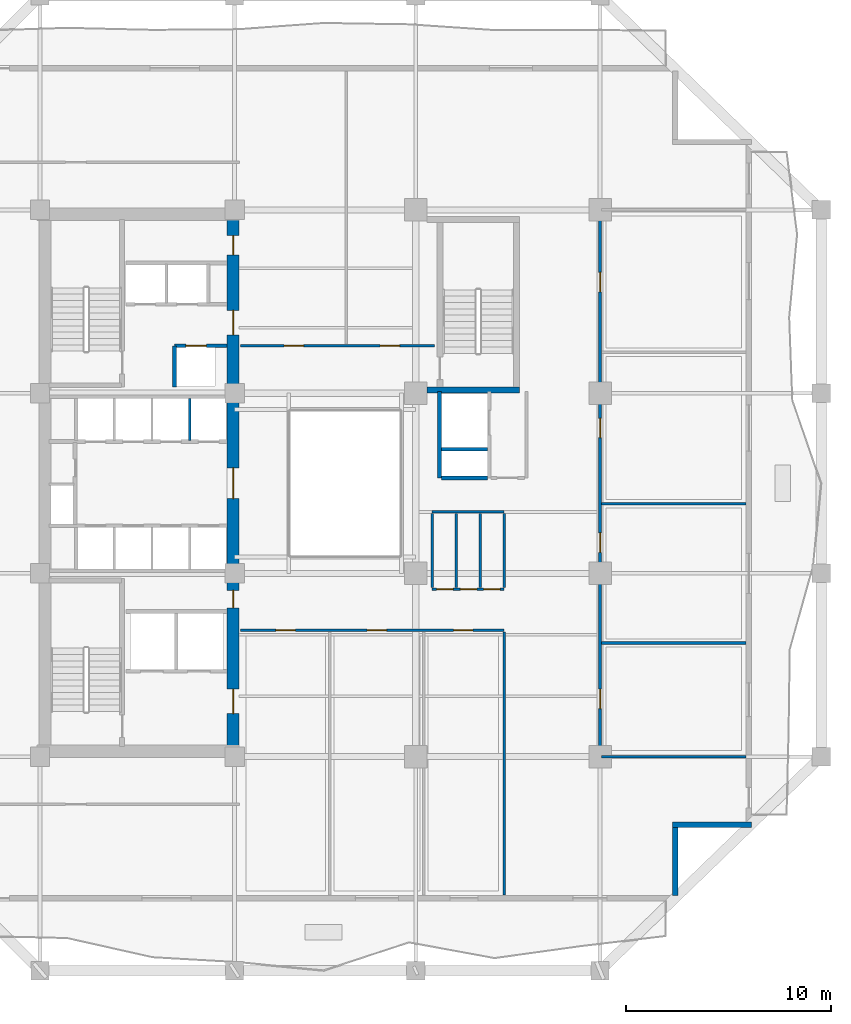
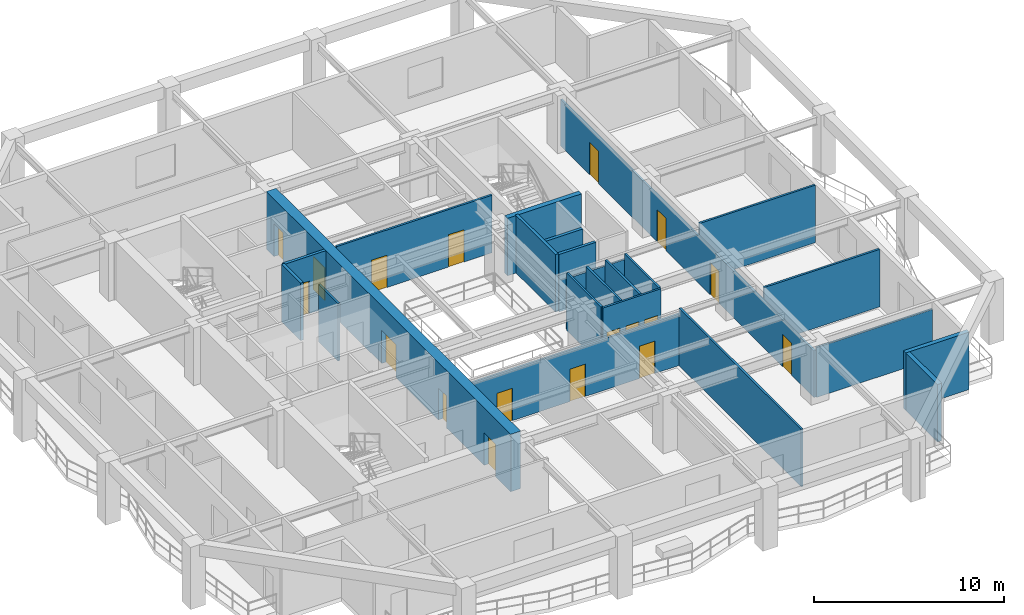
# One storey, part 4 of 11: 23 walls, 18 doors, 18 openings.
"""IFC4 building model written with IfcOpenShell, lengths in metres."""

from ifc_helpers import new_model, si_unit, direction, frame, frame_2d, origin, place, context, subcontext, project, spatial, rectangle, extrude, material, layer, layer_set, type_object, element, fill, save


model = new_model("IFC4")

# Units and contexts
model_context = context("Model", 3, precision=1e-05, world=origin(), true_north=direction((0.0, 1.0)))
body_context = subcontext(model_context, "Body", "Model", "MODEL_VIEW")
ifc_project = project(units=[si_unit("LENGTHUNIT", "METRE"), si_unit("AREAUNIT", "SQUARE_METRE"), si_unit("VOLUMEUNIT", "CUBIC_METRE"), si_unit("PLANEANGLEUNIT", "RADIAN"), si_unit("MASSUNIT", "GRAM", prefix="KILO")], contexts=[model_context])

# Site, building, storey
site_placement = place(None, origin())
site = spatial("IfcSite", under=ifc_project, at=site_placement, CompositionType="ELEMENT")
building_placement = place(site_placement, origin())
building = spatial("IfcBuilding", under=site, at=building_placement, Name="Kundavana Baori Tower", CompositionType="ELEMENT")
storey_placement = place(building_placement, frame((0.0, 0.0, 90.0)))
storey = spatial("IfcBuildingStorey", under=building, at=storey_placement, Name="L21", CompositionType="ELEMENT", Elevation=90.0)

# Wall, openings, doors
ifc_material_1 = material(Name="Concrete C60/75", Category="concrete")
ifc_layer_1 = layer(ifc_material_1, 0.60009765625, Name="WL-CORE-600")
ifc_layer_set_1 = layer_set([ifc_layer_1], Name="Concrete C60/75")
wall_type_1 = type_object("IfcWallType", Name="WL-CORE-600", PredefinedType="SHEAR", material=ifc_layer_set_1)
wall_1_placement = place(storey_placement, frame((24.8798828125, 15.739990234375, 0.0), z_axis=(0.0, 0.0, 1.0), x_axis=(0.0, 1.0, 0.0)))
wall_1 = element("IfcWall", 1, at=wall_1_placement, inside=storey, type_object=wall_type_1, Name="L21 Offset Core East Shear Wall", PredefinedType="SHEAR", context=body_context, shape_type="SweptSolid", body=[
    extrude(rectangle(XDim=25.760009765625, YDim=0.60009765625, at=frame_2d((12.8798828125, 0.0))), origin(), (0.0, 0.0, 1.0), 3.699951171875),
])
opening_1_placement = place(wall_1_placement, frame((1.610107421875, 0.0, 0.0)))
opening_1 = element("IfcOpeningElement", 2, at=opening_1_placement, cuts=wall_1, Name="Opening FD-120", PredefinedType="OPENING", context=body_context, shape_type="SweptSolid", body=[
    extrude(rectangle(XDim=1.199951171875, YDim=2.10009765625, at=frame_2d((0.60009765625, 1.050048828125))), frame((0.0, 0.31005859375, 0.0), z_axis=(0.0, -1.0, 0.0), x_axis=(1.0, 0.0, 0.0)), (0.0, 0.0, 1.0), 0.6201171875),
])
opening_2_placement = place(wall_1_placement, frame((6.780029296875, 0.0, 0.0)))
opening_2 = element("IfcOpeningElement", 3, at=opening_2_placement, cuts=wall_1, Name="Opening FD-085", PredefinedType="OPENING", context=body_context, shape_type="SweptSolid", body=[
    extrude(rectangle(XDim=0.85009765625, YDim=2.06005859375, at=frame_2d((0.425048828125, 1.030029296875))), frame((0.0, 0.31005859375, 0.0), z_axis=(0.0, -1.0, 0.0), x_axis=(1.0, 0.0, 0.0)), (0.0, 0.0, 1.0), 0.6201171875),
])
opening_3_placement = place(wall_1_placement, frame((12.110107421875, 0.0, 0.0)))
opening_3 = element("IfcOpeningElement", 4, at=opening_3_placement, cuts=wall_1, Name="Opening FD-150", PredefinedType="OPENING", context=body_context, shape_type="SweptSolid", body=[
    extrude(rectangle(XDim=1.5, YDim=2.1201171875, at=frame_2d((0.75, 1.06005859375))), frame((0.0, 0.31005859375, 0.0), z_axis=(0.0, -1.0, 0.0), x_axis=(1.0, 0.0, 0.0)), (0.0, 0.0, 1.0), 0.6201171875),
])
opening_4_placement = place(wall_1_placement, frame((20.110107421875, 0.0, 0.0)))
opening_4 = element("IfcOpeningElement", 5, at=opening_4_placement, cuts=wall_1, Name="Opening FD-122", PredefinedType="OPENING", context=body_context, shape_type="SweptSolid", body=[
    extrude(rectangle(XDim=1.199951171875, YDim=2.1201171875, at=frame_2d((0.60009765625, 1.06005859375))), frame((0.0, 0.31005859375, 0.0), z_axis=(0.0, -1.0, 0.0), x_axis=(1.0, 0.0, 0.0)), (0.0, 0.0, 1.0), 0.6201171875),
])
opening_5_placement = place(wall_1_placement, frame((24.010009765625, 0.0, 0.0)))
opening_5 = element("IfcOpeningElement", 6, at=opening_5_placement, cuts=wall_1, Name="Opening FD-095", PredefinedType="OPENING", context=body_context, shape_type="SweptSolid", body=[
    extrude(rectangle(XDim=0.949951171875, YDim=2.10009765625, at=frame_2d((0.47509765625, 1.050048828125))), frame((0.0, 0.31005859375, 0.0), z_axis=(0.0, -1.0, 0.0), x_axis=(1.0, 0.0, 0.0)), (0.0, 0.0, 1.0), 0.6201171875),
])
ifc_material_2 = material(Name="Galvanised Steel Fire-Rated Door Leaf", Category="steel")
door_type_1 = type_object("IfcDoorType", Name="DR-FD120-1200", OperationType="NOTDEFINED", PredefinedType="DOOR", material=ifc_material_2)
door_1_placement = place(opening_1_placement, frame((1.199951171875, 0.0, 0.0), z_axis=(0.0, 0.0, 1.0), x_axis=(-1.0, 0.0, 0.0)))
door_1 = element("IfcDoor", 7, at=door_1_placement, inside=storey, type_object=door_type_1, Name="DR-L21-FFLOB-E", OperationType="SINGLE_SWING_RIGHT", OverallHeight=2.10009765625, OverallWidth=1.199951171875, PredefinedType="DOOR", context=body_context, shape_type="SweptSolid", body=[
    extrude(rectangle(XDim=1.199951171875, YDim=2.10009765625, at=frame_2d((0.60009765625, 1.050048828125))), frame((0.0, 0.02490234375, 0.0), z_axis=(0.0, -1.0, 0.0), x_axis=(1.0, 0.0, 0.0)), (0.0, 0.0, 1.0), 0.050048828125),
])
fill(opening_1, door_1)
ifc_material_3 = material(Name="Galvanised Steel Fire-Rated Door Leaf", Category="steel")
door_type_2 = type_object("IfcDoorType", Name="DR-FD60-1200", OperationType="NOTDEFINED", PredefinedType="DOOR", material=ifc_material_3)
door_2_placement = place(opening_4_placement, frame((1.199951171875, 0.0, 0.0), z_axis=(0.0, 0.0, 1.0), x_axis=(-1.0, 0.0, 0.0)))
door_2 = element("IfcDoor", 8, at=door_2_placement, inside=storey, type_object=door_type_2, Name="DR-L21-HRLOB-E", OperationType="SINGLE_SWING_RIGHT", OverallHeight=2.1201171875, OverallWidth=1.199951171875, PredefinedType="DOOR", context=body_context, shape_type="SweptSolid", body=[
    extrude(rectangle(XDim=1.199951171875, YDim=2.1201171875, at=frame_2d((0.60009765625, 1.06005859375))), frame((0.0, 0.02490234375, 0.0), z_axis=(0.0, -1.0, 0.0), x_axis=(1.0, 0.0, 0.0)), (0.0, 0.0, 1.0), 0.050048828125),
])
fill(opening_4, door_2)
ifc_material_4 = material(Name="Galvanised Steel Fire-Rated Door Leaf", Category="steel")
door_type_3 = type_object("IfcDoorType", Name="DR-FD60-1500", OperationType="NOTDEFINED", PredefinedType="DOOR", material=ifc_material_4)
door_3_placement = place(opening_3_placement, frame((1.5, 0.0, 0.0), z_axis=(0.0, 0.0, 1.0), x_axis=(-1.0, 0.0, 0.0)))
door_3 = element("IfcDoor", 9, at=door_3_placement, inside=storey, type_object=door_type_3, Name="DR-L21-LIFTHALL-E", OperationType="SINGLE_SWING_LEFT", OverallHeight=2.1201171875, OverallWidth=1.5, PredefinedType="DOOR", context=body_context, shape_type="SweptSolid", body=[
    extrude(rectangle(XDim=1.5, YDim=2.1201171875, at=frame_2d((0.75, 1.06005859375))), frame((0.0, 0.02490234375, 0.0), z_axis=(0.0, -1.0, 0.0), x_axis=(1.0, 0.0, 0.0)), (0.0, 0.0, 1.0), 0.050048828125),
])
fill(opening_3, door_3)
ifc_material_5 = material(Name="Galvanised Steel Fire-Rated Door Leaf", Category="steel")
door_type_4 = type_object("IfcDoorType", Name="DR-FD60-850", OperationType="NOTDEFINED", PredefinedType="DOOR", material=ifc_material_5)
door_4_placement = place(opening_2_placement, frame((0.85009765625, 0.0, 0.0), z_axis=(0.0, 0.0, 1.0), x_axis=(-1.0, 0.0, 0.0)))
door_4 = element("IfcDoor", 10, at=door_4_placement, inside=storey, type_object=door_type_4, Name="DR-L21-CSMK1", OperationType="SINGLE_SWING_LEFT", OverallHeight=2.06005859375, OverallWidth=0.85009765625, PredefinedType="DOOR", context=body_context, shape_type="SweptSolid", body=[
    extrude(rectangle(XDim=0.85009765625, YDim=2.06005859375, at=frame_2d((0.425048828125, 1.030029296875))), frame((0.0, 0.02490234375, 0.0), z_axis=(0.0, -1.0, 0.0), x_axis=(1.0, 0.0, 0.0)), (0.0, 0.0, 1.0), 0.050048828125),
])
fill(opening_2, door_4)
ifc_material_6 = material(Name="Engineered Teak Fire-Rated Timber Door Leaf", Category="wood")
door_type_5 = type_object("IfcDoorType", Name="DR-FD60-950", OperationType="NOTDEFINED", PredefinedType="DOOR", material=ifc_material_6)
door_5_placement = place(opening_5_placement, frame((0.949951171875, 0.0, 0.0), z_axis=(0.0, 0.0, 1.0), x_axis=(-1.0, 0.0, 0.0)))
door_5 = element("IfcDoor", 11, at=door_5_placement, inside=storey, type_object=door_type_5, Name="DR-L21-CSRV1", OperationType="SINGLE_SWING_LEFT", OverallHeight=2.10009765625, OverallWidth=0.949951171875, PredefinedType="DOOR", context=body_context, shape_type="SweptSolid", body=[
    extrude(rectangle(XDim=0.949951171875, YDim=2.10009765625, at=frame_2d((0.47509765625, 1.050048828125))), frame((0.0, 0.02490234375, 0.0), z_axis=(0.0, -1.0, 0.0), x_axis=(1.0, 0.0, 0.0)), (0.0, 0.0, 1.0), 0.050048828125),
])
fill(opening_5, door_5)

# Walls
ifc_material_7 = material(Name="Kiln-Fired Terracotta Brick-Slip Masonry on Concrete C40/50", Category="masonry")
ifc_layer_2 = layer(ifc_material_7, 0.260009765625, Name="WL-EXT-BRK-260")
ifc_layer_set_2 = layer_set([ifc_layer_2], Name="Kiln-Fired Terracotta Brick-Slip Masonry on Concrete C40/50")
wall_type_2 = type_object("IfcWallType", Name="WL-EXT-BRK-260", PredefinedType="SOLIDWALL", material=ifc_layer_set_2)
wall_2_placement = place(storey_placement, frame((46.469970703125, 8.4599609375, 0.0), z_axis=(0.0, 0.0, 1.0), x_axis=(0.0, 1.0, 0.0)))
element("IfcWall", 12, at=wall_2_placement, inside=storey, type_object=wall_type_2, Name="L21 Exterior Insulated Facade Wall 02", PredefinedType="SOLIDWALL", context=body_context, shape_type="SweptSolid", body=[
    extrude(rectangle(XDim=3.340087890625, YDim=0.260009765625, at=frame_2d((1.669921875, 0.0))), origin(), (0.0, 0.0, 1.0), 3.699951171875),
])
wall_3_placement = place(storey_placement, frame((46.340087890625, 11.929931640625, 0.0), z_axis=(0.0, 0.0, 1.0), x_axis=(1.0, 0.0, 0.0)))
element("IfcWall", 13, at=wall_3_placement, inside=storey, type_object=wall_type_2, Name="L21 Exterior Insulated Facade Wall 03", PredefinedType="SOLIDWALL", context=body_context, shape_type="SweptSolid", body=[
    extrude(rectangle(XDim=3.85986328125, YDim=0.260009765625, at=frame_2d((1.929931640625, 0.0))), origin(), (0.0, 0.0, 1.0), 3.699951171875),
])
ifc_material_8 = material(Name="Acoustic Gypsum Plasterboard on Galvanised Steel Studs", Category="steel")
ifc_layer_3 = layer(ifc_material_8, 0.1201171875, Name="WL-PART-120")
ifc_layer_set_3 = layer_set([ifc_layer_3], Name="Acoustic Gypsum Plasterboard on Galvanised Steel Studs")
wall_type_3 = type_object("IfcWallType", Name="WL-PART-120", PredefinedType="PARTITIONING", material=ifc_layer_set_3)
wall_4_placement = place(storey_placement, frame((22.760009765625, 30.699951171875, 0.0), z_axis=(0.0, 0.0, 1.0), x_axis=(0.0, 1.0, 0.0)))
element("IfcWall", 14, at=wall_4_placement, inside=storey, type_object=wall_type_3, Name="WL-L21-LPMID-D3", PredefinedType="PARTITIONING", context=body_context, shape_type="SweptSolid", body=[
    extrude(rectangle(XDim=2.050048828125, YDim=0.1201171875, at=frame_2d((1.02490234375, 0.0))), origin(), (0.0, 0.0, 1.0), 3.699951171875),
])

# Wall, opening, door
ifc_material_9 = material(Name="Autoclaved Aerated Concrete Blockwork Masonry", Category="masonry")
ifc_layer_4 = layer(ifc_material_9, 0.179931640625, Name="WL-SHAFT-180")
ifc_layer_set_4 = layer_set([ifc_layer_4], Name="Autoclaved Aerated Concrete Blockwork Masonry")
wall_type_4 = type_object("IfcWallType", Name="WL-SHAFT-180", PredefinedType="SOLIDWALL", material=ifc_layer_set_4)
wall_5_placement = place(storey_placement, frame((22.02001953125, 35.31005859375, 0.0), z_axis=(0.0, 0.0, 1.0), x_axis=(1.0, 0.0, 0.0)))
wall_5 = element("IfcWall", 15, at=wall_5_placement, inside=storey, type_object=wall_type_4, Name="WL-L21-LP11-N", PredefinedType="SOLIDWALL", context=body_context, shape_type="SweptSolid", body=[
    extrude(rectangle(XDim=2.56005859375, YDim=0.179931640625, at=frame_2d((1.280029296875, 0.0))), origin(), (0.0, 0.0, 1.0), 3.699951171875),
])
opening_6_placement = place(wall_5_placement, frame((0.550048828125, 0.0, 0.0)))
opening_6 = element("IfcOpeningElement", 16, at=opening_6_placement, cuts=wall_5, Name="Opening LD-100", PredefinedType="OPENING", context=body_context, shape_type="SweptSolid", body=[
    extrude(rectangle(XDim=1.0, YDim=2.10009765625, at=frame_2d((0.5, 1.050048828125))), frame((0.0, 0.10009765625, 0.0), z_axis=(0.0, -1.0, 0.0), x_axis=(1.0, 0.0, 0.0)), (0.0, 0.0, 1.0), 0.199951171875),
])
ifc_material_10 = material(Name="Galvanised Steel Fire-Rated Door Leaf", Category="steel")
door_type_6 = type_object("IfcDoorType", Name="DR-SLIDE-LD1000", OperationType="NOTDEFINED", PredefinedType="DOOR", material=ifc_material_10)
door_6_placement = place(opening_6_placement, origin())
door_6 = element("IfcDoor", 17, at=door_6_placement, inside=storey, type_object=door_type_6, Name="DR-L21-LD-LP11", OperationType="DOUBLE_DOOR_SLIDING", OverallHeight=2.10009765625, OverallWidth=1.0, PredefinedType="DOOR", context=body_context, shape_type="SweptSolid", body=[
    extrude(rectangle(XDim=1.0, YDim=2.10009765625, at=frame_2d((0.5, 1.050048828125))), frame((0.0, 0.02490234375, 0.0), z_axis=(0.0, -1.0, 0.0), x_axis=(1.0, 0.0, 0.0)), (0.0, 0.0, 1.0), 0.050048828125),
])
fill(opening_6, door_6)

# Walls
wall_6_placement = place(storey_placement, frame((22.02001953125, 33.300048828125, 0.0), z_axis=(0.0, 0.0, 1.0), x_axis=(0.0, 1.0, 0.0)))
element("IfcWall", 18, at=wall_6_placement, inside=storey, type_object=wall_type_4, Name="WL-L21-LP11-W", PredefinedType="SOLIDWALL", context=body_context, shape_type="SweptSolid", body=[
    extrude(rectangle(XDim=2.010009765625, YDim=0.179931640625, at=frame_2d((1.0048828125, 0.0))), origin(), (0.0, 0.0, 1.0), 3.699951171875),
])
wall_7_placement = place(storey_placement, frame((34.9599609375, 28.860107421875, 0.0), z_axis=(0.0, 0.0, 1.0), x_axis=(0.0, 1.0, 0.0)))
element("IfcWall", 19, at=wall_7_placement, inside=storey, type_object=wall_type_4, Name="WL-L21-SVL-W", PredefinedType="SOLIDWALL", context=body_context, shape_type="SweptSolid", body=[
    extrude(rectangle(XDim=4.219970703125, YDim=0.179931640625, at=frame_2d((2.10986328125, 0.0))), origin(), (0.0, 0.0, 1.0), 3.699951171875),
])
for number, where, z_axis, x_axis, name in (
    (20, (35.050048828125, 28.860107421875, 0.0), (0.0, 0.0, 1.0), (1.0, 0.0, 0.0), "WL-L21-SVL-S"),
    (21, (35.050048828125, 30.27001953125, 0.0), (0.0, 0.0, 1.0), (1.0, 0.0, 0.0), "WL-L21-SVL-M"),
):
    element("IfcWall", number, at=place(storey_placement, frame(where, z_axis=z_axis, x_axis=x_axis)), inside=storey, type_object=wall_type_4, Name=name, PredefinedType="SOLIDWALL", context=body_context, shape_type="SweptSolid", body=[
        extrude(rectangle(XDim=2.25, YDim=0.179931640625, at=frame_2d((1.125, 0.0))), origin(), (0.0, 0.0, 1.0), 3.699951171875),
    ])
ifc_material_11 = material(Name="Concrete C50/60", Category="concrete")
ifc_layer_5 = layer(ifc_material_11, 0.300048828125, Name="WL-ST3-300")
ifc_layer_set_5 = layer_set([ifc_layer_5], Name="Concrete C50/60")
wall_type_5 = type_object("IfcWallType", Name="WL-ST3-300", PredefinedType="SHEAR", material=ifc_layer_set_5)
wall_8_placement = place(storey_placement, frame((34.35009765625, 33.159912109375, 0.0), z_axis=(0.0, 0.0, 1.0), x_axis=(1.0, 0.0, 0.0)))
element("IfcWall", 22, at=wall_8_placement, inside=storey, type_object=wall_type_5, Name="L21 Stair ST3 South Shear Wall", PredefinedType="SHEAR", context=body_context, shape_type="SweptSolid", body=[
    extrude(rectangle(XDim=4.52001953125, YDim=0.300048828125, at=frame_2d((2.260009765625, 0.0))), origin(), (0.0, 0.0, 1.0), 3.699951171875),
])

# Wall, openings, doors
ifc_material_12 = material(Name="Autoclaved Aerated Concrete Blockwork Masonry", Category="masonry")
ifc_layer_6 = layer(ifc_material_12, 0.125, Name="WL-WET-120")
ifc_layer_set_6 = layer_set([ifc_layer_6], Name="Autoclaved Aerated Concrete Blockwork Masonry")
wall_type_6 = type_object("IfcWallType", Name="WL-WET-120", PredefinedType="PLUMBINGWALL", material=ifc_layer_set_6)
wall_9_placement = place(storey_placement, frame((25.25, 21.419921875, 0.0), z_axis=(0.0, 0.0, 1.0), x_axis=(1.0, 0.0, 0.0)))
wall_9 = element("IfcWall", 23, at=wall_9_placement, inside=storey, type_object=wall_type_6, Name="WL-L21-OFS", PredefinedType="PLUMBINGWALL", context=body_context, shape_type="SweptSolid", body=[
    extrude(rectangle(XDim=12.8701171875, YDim=0.125, at=frame_2d((6.43505859375, 0.0))), origin(), (0.0, 0.0, 1.0), 3.300048828125),
])
opening_7_placement = place(wall_9_placement, frame((1.72509765625, 0.0, 0.0)))
opening_7 = element("IfcOpeningElement", 24, at=opening_7_placement, cuts=wall_9, Name="Opening ID-095", PredefinedType="OPENING", context=body_context, shape_type="SweptSolid", body=[
    extrude(rectangle(XDim=0.949951171875, YDim=2.080078125, at=frame_2d((0.47509765625, 1.0400390625))), frame((0.0, 0.072509765625, 0.0), z_axis=(0.0, -1.0, 0.0), x_axis=(1.0, 0.0, 0.0)), (0.0, 0.0, 1.0), 0.14501953125),
])
opening_8_placement = place(wall_9_placement, frame((6.175048828125, 0.0, 0.0)))
opening_8 = element("IfcOpeningElement", 25, at=opening_8_placement, cuts=wall_9, Name="Opening ID-095", PredefinedType="OPENING", context=body_context, shape_type="SweptSolid", body=[
    extrude(rectangle(XDim=0.949951171875, YDim=2.080078125, at=frame_2d((0.47509765625, 1.0400390625))), frame((0.0, 0.072509765625, 0.0), z_axis=(0.0, -1.0, 0.0), x_axis=(1.0, 0.0, 0.0)), (0.0, 0.0, 1.0), 0.14501953125),
])
opening_9_placement = place(wall_9_placement, frame((10.39501953125, 0.0, 0.0)))
opening_9 = element("IfcOpeningElement", 26, at=opening_9_placement, cuts=wall_9, Name="Opening ID-095", PredefinedType="OPENING", context=body_context, shape_type="SweptSolid", body=[
    extrude(rectangle(XDim=0.949951171875, YDim=2.080078125, at=frame_2d((0.47509765625, 1.0400390625))), frame((0.0, 0.072509765625, 0.0), z_axis=(0.0, -1.0, 0.0), x_axis=(1.0, 0.0, 0.0)), (0.0, 0.0, 1.0), 0.14501953125),
])
ifc_material_13 = material(Name="Engineered Teak Solid-Core Timber Veneer", Category="wood")
door_type_7 = type_object("IfcDoorType", Name="DR-INT-950", OperationType="NOTDEFINED", PredefinedType="DOOR", material=ifc_material_13)
door_7_placement = place(opening_7_placement, frame((0.949951171875, 0.0, 0.0), z_axis=(0.0, 0.0, 1.0), x_axis=(-1.0, 0.0, 0.0)))
door_7 = element("IfcDoor", 27, at=door_7_placement, inside=storey, type_object=door_type_7, Name="DR-L21-OFS1", OperationType="SINGLE_SWING_LEFT", OverallHeight=2.080078125, OverallWidth=0.949951171875, PredefinedType="DOOR", context=body_context, shape_type="SweptSolid", body=[
    extrude(rectangle(XDim=0.949951171875, YDim=2.080078125, at=frame_2d((0.47509765625, 1.0400390625))), frame((0.0, 0.02490234375, 0.0), z_axis=(0.0, -1.0, 0.0), x_axis=(1.0, 0.0, 0.0)), (0.0, 0.0, 1.0), 0.050048828125),
])
fill(opening_7, door_7)
door_8_placement = place(opening_8_placement, frame((0.949951171875, 0.0, 0.0), z_axis=(0.0, 0.0, 1.0), x_axis=(-1.0, 0.0, 0.0)))
door_8 = element("IfcDoor", 28, at=door_8_placement, inside=storey, type_object=door_type_7, Name="DR-L21-OFS2", OperationType="SINGLE_SWING_RIGHT", OverallHeight=2.080078125, OverallWidth=0.949951171875, PredefinedType="DOOR", context=body_context, shape_type="SweptSolid", body=[
    extrude(rectangle(XDim=0.949951171875, YDim=2.080078125, at=frame_2d((0.47509765625, 1.0400390625))), frame((0.0, 0.02490234375, 0.0), z_axis=(0.0, -1.0, 0.0), x_axis=(1.0, 0.0, 0.0)), (0.0, 0.0, 1.0), 0.050048828125),
])
fill(opening_8, door_8)
door_9_placement = place(opening_9_placement, frame((0.949951171875, 0.0, 0.0), z_axis=(0.0, 0.0, 1.0), x_axis=(-1.0, 0.0, 0.0)))
door_9 = element("IfcDoor", 29, at=door_9_placement, inside=storey, type_object=door_type_7, Name="DR-L21-OFS3", OperationType="SINGLE_SWING_LEFT", OverallHeight=2.080078125, OverallWidth=0.949951171875, PredefinedType="DOOR", context=body_context, shape_type="SweptSolid", body=[
    extrude(rectangle(XDim=0.949951171875, YDim=2.080078125, at=frame_2d((0.47509765625, 1.0400390625))), frame((0.0, 0.02490234375, 0.0), z_axis=(0.0, -1.0, 0.0), x_axis=(1.0, 0.0, 0.0)), (0.0, 0.0, 1.0), 0.050048828125),
])
fill(opening_9, door_9)

# Wall
wall_10_placement = place(storey_placement, frame((38.1201171875, 8.47998046875, 0.0), z_axis=(0.0, 0.0, 1.0), x_axis=(0.0, 1.0, 0.0)))
element("IfcWall", 30, at=wall_10_placement, inside=storey, type_object=wall_type_6, Name="WL-L21-OFSEND", PredefinedType="PLUMBINGWALL", context=body_context, shape_type="SweptSolid", body=[
    extrude(rectangle(XDim=12.860107421875, YDim=0.125, at=frame_2d((6.43017578125, 0.0))), origin(), (0.0, 0.0, 1.0), 3.699951171875),
])

# Wall, openings, doors
wall_11_placement = place(storey_placement, frame((34.60009765625, 23.419921875, 0.0), z_axis=(0.0, 0.0, 1.0), x_axis=(1.0, 0.0, 0.0)))
wall_11 = element("IfcWall", 31, at=wall_11_placement, inside=storey, type_object=wall_type_6, Name="WL-L21-OFST", PredefinedType="PLUMBINGWALL", context=body_context, shape_type="SweptSolid", body=[
    extrude(rectangle(XDim=3.52001953125, YDim=0.125, at=frame_2d((1.760009765625, 0.0))), origin(), (0.0, 0.0, 1.0), 3.699951171875),
])
opening_10_placement = place(wall_11_placement, frame((0.219970703125, 0.0, 0.0)))
opening_10 = element("IfcOpeningElement", 32, at=opening_10_placement, cuts=wall_11, Name="Opening WD-080", PredefinedType="OPENING", context=body_context, shape_type="SweptSolid", body=[
    extrude(rectangle(XDim=0.800048828125, YDim=2.050048828125, at=frame_2d((0.39990234375, 1.02490234375))), frame((0.0, 0.072509765625, 0.0), z_axis=(0.0, -1.0, 0.0), x_axis=(1.0, 0.0, 0.0)), (0.0, 0.0, 1.0), 0.14501953125),
])
opening_11_placement = place(wall_11_placement, frame((1.3798828125, 0.0, 0.0)))
opening_11 = element("IfcOpeningElement", 33, at=opening_11_placement, cuts=wall_11, Name="Opening WD-080", PredefinedType="OPENING", context=body_context, shape_type="SweptSolid", body=[
    extrude(rectangle(XDim=0.800048828125, YDim=2.050048828125, at=frame_2d((0.39990234375, 1.02490234375))), frame((0.0, 0.072509765625, 0.0), z_axis=(0.0, -1.0, 0.0), x_axis=(1.0, 0.0, 0.0)), (0.0, 0.0, 1.0), 0.14501953125),
])
opening_12_placement = place(wall_11_placement, frame((2.52001953125, 0.0, 0.0)))
opening_12 = element("IfcOpeningElement", 34, at=opening_12_placement, cuts=wall_11, Name="Opening WD-080", PredefinedType="OPENING", context=body_context, shape_type="SweptSolid", body=[
    extrude(rectangle(XDim=0.800048828125, YDim=2.050048828125, at=frame_2d((0.39990234375, 1.02490234375))), frame((0.0, 0.072509765625, 0.0), z_axis=(0.0, -1.0, 0.0), x_axis=(1.0, 0.0, 0.0)), (0.0, 0.0, 1.0), 0.14501953125),
])
ifc_material_14 = material(Name="Engineered Teak Solid-Core Timber Veneer", Category="wood")
door_type_8 = type_object("IfcDoorType", Name="DR-WET-800", OperationType="NOTDEFINED", PredefinedType="DOOR", material=ifc_material_14)
door_10_placement = place(opening_10_placement, origin())
door_10 = element("IfcDoor", 35, at=door_10_placement, inside=storey, type_object=door_type_8, Name="DR-L21-WCM", OperationType="SINGLE_SWING_LEFT", OverallHeight=2.050048828125, OverallWidth=0.800048828125, PredefinedType="DOOR", context=body_context, shape_type="SweptSolid", body=[
    extrude(rectangle(XDim=0.800048828125, YDim=2.050048828125, at=frame_2d((0.39990234375, 1.02490234375))), frame((0.0, 0.02490234375, 0.0), z_axis=(0.0, -1.0, 0.0), x_axis=(1.0, 0.0, 0.0)), (0.0, 0.0, 1.0), 0.050048828125),
])
fill(opening_10, door_10)
door_11_placement = place(opening_11_placement, origin())
door_11 = element("IfcDoor", 36, at=door_11_placement, inside=storey, type_object=door_type_8, Name="DR-L21-WCA", OperationType="SINGLE_SWING_RIGHT", OverallHeight=2.050048828125, OverallWidth=0.800048828125, PredefinedType="DOOR", context=body_context, shape_type="SweptSolid", body=[
    extrude(rectangle(XDim=0.800048828125, YDim=2.050048828125, at=frame_2d((0.39990234375, 1.02490234375))), frame((0.0, 0.02490234375, 0.0), z_axis=(0.0, -1.0, 0.0), x_axis=(1.0, 0.0, 0.0)), (0.0, 0.0, 1.0), 0.050048828125),
])
fill(opening_11, door_11)
door_12_placement = place(opening_12_placement, origin())
door_12 = element("IfcDoor", 37, at=door_12_placement, inside=storey, type_object=door_type_8, Name="DR-L21-PNT", OperationType="SINGLE_SWING_LEFT", OverallHeight=2.050048828125, OverallWidth=0.800048828125, PredefinedType="DOOR", context=body_context, shape_type="SweptSolid", body=[
    extrude(rectangle(XDim=0.800048828125, YDim=2.050048828125, at=frame_2d((0.39990234375, 1.02490234375))), frame((0.0, 0.02490234375, 0.0), z_axis=(0.0, -1.0, 0.0), x_axis=(1.0, 0.0, 0.0)), (0.0, 0.0, 1.0), 0.050048828125),
])
fill(opening_12, door_12)

wall_12_placement = place(storey_placement, frame((25.25, 35.320068359375, 0.0), z_axis=(0.0, 0.0, 1.0), x_axis=(1.0, 0.0, 0.0)))
wall_12 = element("IfcWall", 38, at=wall_12_placement, inside=storey, type_object=wall_type_6, Name="WL-L21-OFN", PredefinedType="PLUMBINGWALL", context=body_context, shape_type="SweptSolid", body=[
    extrude(rectangle(XDim=9.469970703125, YDim=0.125, at=frame_2d((4.73486328125, 0.0))), origin(), (0.0, 0.0, 1.0), 3.699951171875),
])
opening_13_placement = place(wall_12_placement, frame((2.125, 0.0, 0.0)))
opening_13 = element("IfcOpeningElement", 39, at=opening_13_placement, cuts=wall_12, Name="Opening ID-095", PredefinedType="OPENING", context=body_context, shape_type="SweptSolid", body=[
    extrude(rectangle(XDim=0.949951171875, YDim=2.080078125, at=frame_2d((0.47509765625, 1.0400390625))), frame((0.0, 0.072509765625, 0.0), z_axis=(0.0, -1.0, 0.0), x_axis=(1.0, 0.0, 0.0)), (0.0, 0.0, 1.0), 0.14501953125),
])
opening_14_placement = place(wall_12_placement, frame((6.81494140625, 0.0, 0.0)))
opening_14 = element("IfcOpeningElement", 40, at=opening_14_placement, cuts=wall_12, Name="Opening ID-095", PredefinedType="OPENING", context=body_context, shape_type="SweptSolid", body=[
    extrude(rectangle(XDim=0.949951171875, YDim=2.080078125, at=frame_2d((0.47509765625, 1.0400390625))), frame((0.0, 0.072509765625, 0.0), z_axis=(0.0, -1.0, 0.0), x_axis=(1.0, 0.0, 0.0)), (0.0, 0.0, 1.0), 0.14501953125),
])
door_13_placement = place(opening_13_placement, origin())
door_13 = element("IfcDoor", 41, at=door_13_placement, inside=storey, type_object=door_type_7, Name="DR-L21-OFN1", OperationType="SINGLE_SWING_LEFT", OverallHeight=2.080078125, OverallWidth=0.949951171875, PredefinedType="DOOR", context=body_context, shape_type="SweptSolid", body=[
    extrude(rectangle(XDim=0.949951171875, YDim=2.080078125, at=frame_2d((0.47509765625, 1.0400390625))), frame((0.0, 0.02490234375, 0.0), z_axis=(0.0, -1.0, 0.0), x_axis=(1.0, 0.0, 0.0)), (0.0, 0.0, 1.0), 0.050048828125),
])
fill(opening_13, door_13)
door_14_placement = place(opening_14_placement, origin())
door_14 = element("IfcDoor", 42, at=door_14_placement, inside=storey, type_object=door_type_7, Name="DR-L21-OFN2", OperationType="SINGLE_SWING_LEFT", OverallHeight=2.080078125, OverallWidth=0.949951171875, PredefinedType="DOOR", context=body_context, shape_type="SweptSolid", body=[
    extrude(rectangle(XDim=0.949951171875, YDim=2.080078125, at=frame_2d((0.47509765625, 1.0400390625))), frame((0.0, 0.02490234375, 0.0), z_axis=(0.0, -1.0, 0.0), x_axis=(1.0, 0.0, 0.0)), (0.0, 0.0, 1.0), 0.050048828125),
])
fill(opening_14, door_14)

wall_13_placement = place(storey_placement, frame((42.800048828125, 15.25, 0.0), z_axis=(0.0, 0.0, 1.0), x_axis=(0.0, 1.0, 0.0)))
wall_13 = element("IfcWall", 43, at=wall_13_placement, inside=storey, type_object=wall_type_6, Name="WL-L21-OFE", PredefinedType="PLUMBINGWALL", context=body_context, shape_type="SweptSolid", body=[
    extrude(rectangle(XDim=26.699951171875, YDim=0.125, at=frame_2d((13.35009765625, 0.0))), origin(), (0.0, 0.0, 1.0), 3.0),
])
opening_15_placement = place(wall_13_placement, frame((2.35009765625, 0.0, 0.0)))
opening_15 = element("IfcOpeningElement", 44, at=opening_15_placement, cuts=wall_13, Name="Opening ID-095", PredefinedType="OPENING", context=body_context, shape_type="SweptSolid", body=[
    extrude(rectangle(XDim=0.949951171875, YDim=2.080078125, at=frame_2d((0.47509765625, 1.0400390625))), frame((0.0, 0.072509765625, 0.0), z_axis=(0.0, -1.0, 0.0), x_axis=(1.0, 0.0, 0.0)), (0.0, 0.0, 1.0), 0.14501953125),
])
opening_16_placement = place(wall_13_placement, frame((9.97509765625, 0.0, 0.0)))
opening_16 = element("IfcOpeningElement", 45, at=opening_16_placement, cuts=wall_13, Name="Opening ID-095", PredefinedType="OPENING", context=body_context, shape_type="SweptSolid", body=[
    extrude(rectangle(XDim=0.949951171875, YDim=2.080078125, at=frame_2d((0.47509765625, 1.0400390625))), frame((0.0, 0.072509765625, 0.0), z_axis=(0.0, -1.0, 0.0), x_axis=(1.0, 0.0, 0.0)), (0.0, 0.0, 1.0), 0.14501953125),
])
opening_17_placement = place(wall_13_placement, frame((15.574951171875, 0.0, 0.0)))
opening_17 = element("IfcOpeningElement", 46, at=opening_17_placement, cuts=wall_13, Name="Opening ID-095", PredefinedType="OPENING", context=body_context, shape_type="SweptSolid", body=[
    extrude(rectangle(XDim=0.949951171875, YDim=2.080078125, at=frame_2d((0.47509765625, 1.0400390625))), frame((0.0, 0.072509765625, 0.0), z_axis=(0.0, -1.0, 0.0), x_axis=(1.0, 0.0, 0.0)), (0.0, 0.0, 1.0), 0.14501953125),
])
opening_18_placement = place(wall_13_placement, frame((22.699951171875, 0.0, 0.0)))
opening_18 = element("IfcOpeningElement", 47, at=opening_18_placement, cuts=wall_13, Name="Opening ID-095", PredefinedType="OPENING", context=body_context, shape_type="SweptSolid", body=[
    extrude(rectangle(XDim=0.949951171875, YDim=2.080078125, at=frame_2d((0.47509765625, 1.0400390625))), frame((0.0, 0.072509765625, 0.0), z_axis=(0.0, -1.0, 0.0), x_axis=(1.0, 0.0, 0.0)), (0.0, 0.0, 1.0), 0.14501953125),
])
door_15_placement = place(opening_15_placement, origin())
door_15 = element("IfcDoor", 48, at=door_15_placement, inside=storey, type_object=door_type_7, Name="DR-L21-OFE1", OperationType="SINGLE_SWING_RIGHT", OverallHeight=2.080078125, OverallWidth=0.949951171875, PredefinedType="DOOR", context=body_context, shape_type="SweptSolid", body=[
    extrude(rectangle(XDim=0.949951171875, YDim=2.080078125, at=frame_2d((0.47509765625, 1.0400390625))), frame((0.0, 0.02490234375, 0.0), z_axis=(0.0, -1.0, 0.0), x_axis=(1.0, 0.0, 0.0)), (0.0, 0.0, 1.0), 0.050048828125),
])
fill(opening_15, door_15)
door_16_placement = place(opening_16_placement, origin())
door_16 = element("IfcDoor", 49, at=door_16_placement, inside=storey, type_object=door_type_7, Name="DR-L21-OFE2", OperationType="SINGLE_SWING_LEFT", OverallHeight=2.080078125, OverallWidth=0.949951171875, PredefinedType="DOOR", context=body_context, shape_type="SweptSolid", body=[
    extrude(rectangle(XDim=0.949951171875, YDim=2.080078125, at=frame_2d((0.47509765625, 1.0400390625))), frame((0.0, 0.02490234375, 0.0), z_axis=(0.0, -1.0, 0.0), x_axis=(1.0, 0.0, 0.0)), (0.0, 0.0, 1.0), 0.050048828125),
])
fill(opening_16, door_16)
door_17_placement = place(opening_17_placement, origin())
door_17 = element("IfcDoor", 50, at=door_17_placement, inside=storey, type_object=door_type_7, Name="DR-L21-OFE3", OperationType="SINGLE_SWING_RIGHT", OverallHeight=2.080078125, OverallWidth=0.949951171875, PredefinedType="DOOR", context=body_context, shape_type="SweptSolid", body=[
    extrude(rectangle(XDim=0.949951171875, YDim=2.080078125, at=frame_2d((0.47509765625, 1.0400390625))), frame((0.0, 0.02490234375, 0.0), z_axis=(0.0, -1.0, 0.0), x_axis=(1.0, 0.0, 0.0)), (0.0, 0.0, 1.0), 0.050048828125),
])
fill(opening_17, door_17)
door_18_placement = place(opening_18_placement, origin())
door_18 = element("IfcDoor", 51, at=door_18_placement, inside=storey, type_object=door_type_7, Name="DR-L21-OFE4", OperationType="SINGLE_SWING_LEFT", OverallHeight=2.080078125, OverallWidth=0.949951171875, PredefinedType="DOOR", context=body_context, shape_type="SweptSolid", body=[
    extrude(rectangle(XDim=0.949951171875, YDim=2.080078125, at=frame_2d((0.47509765625, 1.0400390625))), frame((0.0, 0.02490234375, 0.0), z_axis=(0.0, -1.0, 0.0), x_axis=(1.0, 0.0, 0.0)), (0.0, 0.0, 1.0), 0.050048828125),
])
fill(opening_18, door_18)

# Walls
wall_14_placement = place(storey_placement, frame((42.8798828125, 15.25, 0.0), z_axis=(0.0, 0.0, 1.0), x_axis=(1.0, 0.0, 0.0)))
element("IfcWall", 52, at=wall_14_placement, inside=storey, type_object=wall_type_6, Name="WL-L21-OFES", PredefinedType="PLUMBINGWALL", context=body_context, shape_type="SweptSolid", body=[
    extrude(rectangle(XDim=7.0400390625, YDim=0.125, at=frame_2d((3.52001953125, 0.0))), origin(), (0.0, 0.0, 1.0), 3.199951171875),
])
wall_15_placement = place(storey_placement, frame((34.60009765625, 27.199951171875, 0.0), z_axis=(0.0, 0.0, 1.0), x_axis=(1.0, 0.0, 0.0)))
element("IfcWall", 53, at=wall_15_placement, inside=storey, type_object=wall_type_6, Name="WL-L21-WCN", PredefinedType="PLUMBINGWALL", context=body_context, shape_type="SweptSolid", body=[
    extrude(rectangle(XDim=3.52001953125, YDim=0.125, at=frame_2d((1.760009765625, 0.0))), origin(), (0.0, 0.0, 1.0), 3.300048828125),
])
for number, where, z_axis, x_axis, name in (
    (54, (34.60009765625, 23.5, 0.0), (0.0, 0.0, 1.0), (0.0, 1.0, 0.0), "WL-L21-WCW"),
    (55, (38.1201171875, 23.5, 0.0), (0.0, 0.0, 1.0), (0.0, 1.0, 0.0), "WL-L21-WCE"),
    (56, (35.780029296875, 23.5, 0.0), (0.0, 0.0, 1.0), (0.0, 1.0, 0.0), "WL-L21-WCD1"),
    (57, (36.9599609375, 23.5, 0.0), (0.0, 0.0, 1.0), (0.0, 1.0, 0.0), "WL-L21-WCD2"),
):
    element("IfcWall", number, at=place(storey_placement, frame(where, z_axis=z_axis, x_axis=x_axis)), inside=storey, type_object=wall_type_6, Name=name, PredefinedType="PLUMBINGWALL", context=body_context, shape_type="SweptSolid", body=[
        extrude(rectangle(XDim=3.6201171875, YDim=0.125, at=frame_2d((1.81005859375, 0.0))), origin(), (0.0, 0.0, 1.0), 3.699951171875),
    ])
for number, where, z_axis, x_axis, name in (
    (58, (42.8798828125, 20.800048828125, 0.0), (0.0, 0.0, 1.0), (1.0, 0.0, 0.0), "WL-L21-ED1"),
    (59, (42.8798828125, 27.60009765625, 0.0), (0.0, 0.0, 1.0), (1.0, 0.0, 0.0), "WL-L21-ED2"),
):
    element("IfcWall", number, at=place(storey_placement, frame(where, z_axis=z_axis, x_axis=x_axis)), inside=storey, type_object=wall_type_6, Name=name, PredefinedType="PLUMBINGWALL", context=body_context, shape_type="SweptSolid", body=[
        extrude(rectangle(XDim=7.0400390625, YDim=0.125, at=frame_2d((3.52001953125, 0.0))), origin(), (0.0, 0.0, 1.0), 3.699951171875),
    ])

save(model, "model.ifc")
